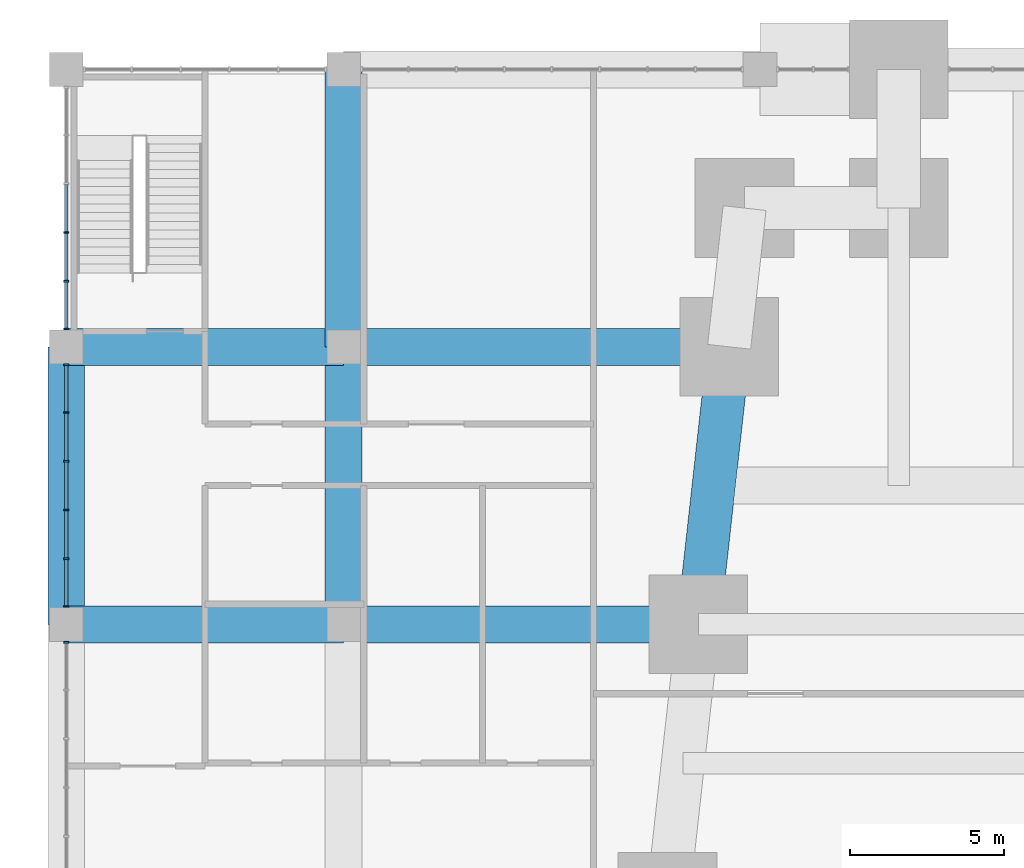
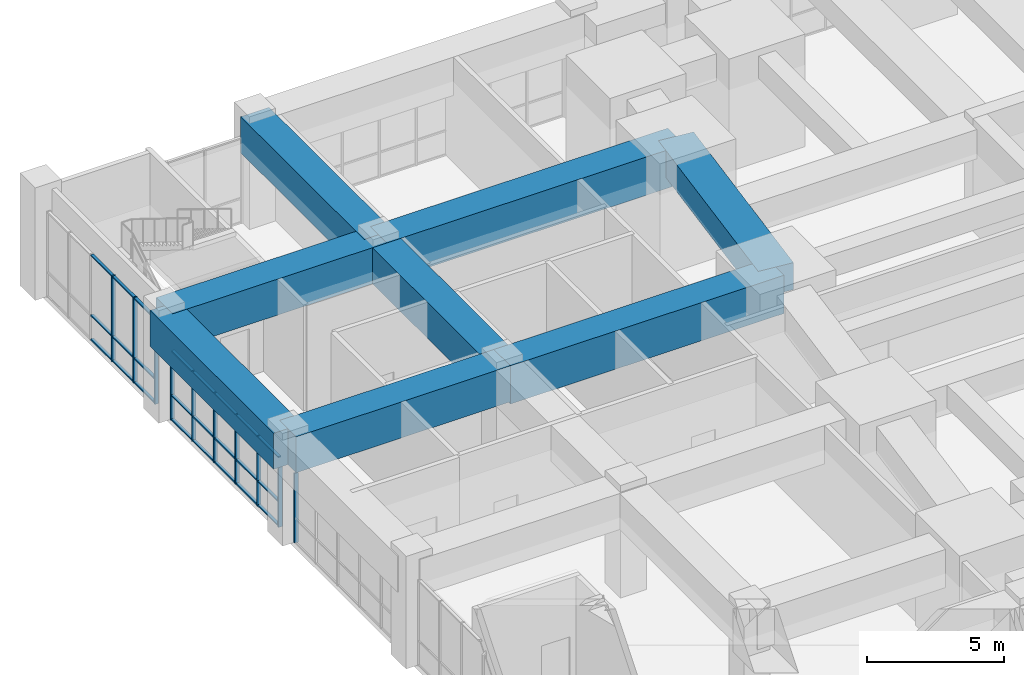
# One storey, part 8 of 27: 34 members, 8 beams, 3 elements without a shape of their own.
"""IFC4 building model written with IfcOpenShell, lengths in metres."""

from ifc_helpers import new_model, si_unit, direction, frame, origin, origin_2d, place, context, subcontext, project, spatial, rectangle, extrude, material, material_profile, profile_set, type_object, element, aggregate, save


model = new_model("IFC4")

# Units and contexts
model_context = context("Model", 3, precision=1e-05, world=origin(), true_north=direction((0.0, 1.0)))
body_context = subcontext(model_context, "Body", "Model", "MODEL_VIEW")
ifc_project = project(units=[si_unit("LENGTHUNIT", "METRE"), si_unit("AREAUNIT", "SQUARE_METRE"), si_unit("VOLUMEUNIT", "CUBIC_METRE"), si_unit("PLANEANGLEUNIT", "RADIAN"), si_unit("MASSUNIT", "GRAM", prefix="KILO")], contexts=[model_context])

# Site, building, storey
site_placement = place(None, origin())
site = spatial("IfcSite", under=ifc_project, at=site_placement, CompositionType="ELEMENT")
building_placement = place(site_placement, origin())
building = spatial("IfcBuilding", under=site, at=building_placement, Name="Kilele Tower Hotel", CompositionType="ELEMENT")
storey_placement = place(building_placement, frame((0.0, 0.0, 6.0)))
storey = spatial("IfcBuildingStorey", under=building, at=storey_placement, Name="L01", CompositionType="ELEMENT", Elevation=6.0)

# Beams
ifc_material_1 = material(Name="Concrete C60/75", Category="concrete")
ifc_material_profile_1 = material_profile(ifc_material_1, rectangle(XDim=1.199951171875, YDim=1.60009765625, at=origin_2d()))
ifc_profile_set_1 = profile_set([ifc_material_profile_1], Name="Concrete C60/75")
beam_type_1 = type_object("IfcBeamType", Name="Beam RC 1200x1600 C60/75", PredefinedType="BEAM", material=ifc_profile_set_1)
for number, where, z_axis, x_axis, name in (
    (1, (-18.0, 22.5, 3.89990234375), (1.0, 0.0, 0.0), (0.0, 1.0, 0.0), "Beam PB2 level L02"),
    (2, (-18.0, 22.5, 3.89990234375), (0.0, 1.0, 0.0), (-1.0, 0.0, 0.0), "Beam PB2 level L02"),
    (3, (-9.0, 22.5, 3.89990234375), (0.0, 1.0, 0.0), (-1.0, 0.0, 0.0), "Beam PB2 level L02"),
    (4, (-18.0, 31.5, 3.89990234375), (1.0, 0.0, 0.0), (0.0, 1.0, 0.0), "Beam PB2 level L02"),
    (5, (-9.0, 31.5, 3.89990234375), (0.0, 1.0, 0.0), (-1.0, 0.0, 0.0), "Beam PB2 level L02"),
):
    element("IfcBeam", number, at=place(storey_placement, frame(where, z_axis=z_axis, x_axis=x_axis)), inside=storey, type_object=beam_type_1, Name=name, PredefinedType="BEAM", context=body_context, shape_type="SweptSolid", body=[
        extrude(rectangle(XDim=1.199951171875, YDim=1.60009765625, at=origin_2d()), origin(), (0.0, 0.0, 1.0), 9.0),
    ])
ifc_material_2 = material(Name="Concrete C60/75", Category="concrete")
ifc_material_profile_2 = material_profile(ifc_material_2, rectangle(XDim=1.199951171875, YDim=1.699951171875, at=origin_2d()))
ifc_profile_set_2 = profile_set([ifc_material_profile_2], Name="Concrete C60/75")
beam_type_2 = type_object("IfcBeamType", Name="Beam RC 1200x1700 C60/75", PredefinedType="BEAM", material=ifc_profile_set_2)
beam_1_placement = place(storey_placement, frame((-9.0, 31.5, 3.85009765625), z_axis=(1.0, 0.0, 0.0), x_axis=(0.0, 1.0, 0.0)))
element("IfcBeam", 6, at=beam_1_placement, inside=storey, type_object=beam_type_2, Name="Beam PB3 level L02", PredefinedType="BEAM", context=body_context, shape_type="SweptSolid", body=[
    extrude(rectangle(XDim=1.199951171875, YDim=1.699951171875, at=origin_2d()), origin(), (0.0, 0.0, 1.0), 12.5),
])
ifc_material_3 = material(Name="Concrete C60/75", Category="concrete")
ifc_material_profile_3 = material_profile(ifc_material_3, rectangle(XDim=1.199951171875, YDim=1.699951171875, at=origin_2d()))
ifc_profile_set_3 = profile_set([ifc_material_profile_3], Name="Concrete C60/75")
beam_type_3 = type_object("IfcBeamType", Name="Beam RC 1200x1700 C60/75 mid span", PredefinedType="BEAM", material=ifc_profile_set_3)
beam_2_placement = place(storey_placement, frame((-9.0, 22.5, 3.85009765625), z_axis=(1.0, 0.0, 0.0), x_axis=(0.0, 1.0, 0.0)))
element("IfcBeam", 7, at=beam_2_placement, inside=storey, type_object=beam_type_3, Name="Beam PB4 level L02", PredefinedType="BEAM", context=body_context, shape_type="SweptSolid", body=[
    extrude(rectangle(XDim=1.199951171875, YDim=1.699951171875, at=origin_2d()), origin(), (0.0, 0.0, 1.0), 11.5),
])

# Curtain wall, members
ifc_material_4 = material(Name="Aluminium curtain wall, clear double glazing", Category="aluminium")
curtain_wall_type = type_object("IfcCurtainWallType", Name="Podium side curtain wall CW-2", PredefinedType="NOTDEFINED", material=ifc_material_4)
curtain_wall_1_placement = place(storey_placement, origin())
curtain_wall_1 = element("IfcCurtainWall", 8, at=curtain_wall_1_placement, inside=storey, type_object=curtain_wall_type, Name="Podium side curtain wall CW-2 L01", PredefinedType="NOTDEFINED")
ifc_material_5 = material(Name="Aluminium EN AW-6063 T6", Category="aluminium")
ifc_material_profile_4 = material_profile(ifc_material_5, rectangle(XDim=0.159912109375, YDim=0.06005859375, at=origin_2d()))
ifc_profile_set_4 = profile_set([ifc_material_profile_4], Name="Aluminium EN AW-6063 T6")
member_type_1 = type_object("IfcMemberType", Name="Mullion 60x160 CW-2", PredefinedType="MULLION", material=ifc_profile_set_4)
member_1_placement = place(storey_placement, frame((-18.0, 35.2099609375, 0.0), z_axis=(0.0, 0.0, 1.0), x_axis=(1.0, 0.0, 0.0)))
member_1 = element("IfcMember", 9, at=member_1_placement, type_object=member_type_1, Name="CW-2 mullion 4", PredefinedType="MULLION", context=body_context, shape_type="SweptSolid", body=[
    extrude(rectangle(XDim=0.159912109375, YDim=0.06005859375, at=origin_2d()), origin(), (0.0, 0.0, 1.0), 3.800048828125),
])
member_2_placement = place(storey_placement, frame((-18.0, 33.6298828125, 0.0), z_axis=(0.0, 0.0, 1.0), x_axis=(1.0, 0.0, 0.0)))
member_2 = element("IfcMember", 10, at=member_2_placement, type_object=member_type_1, Name="CW-2 mullion 5", PredefinedType="MULLION", context=body_context, shape_type="SweptSolid", body=[
    extrude(rectangle(XDim=0.159912109375, YDim=0.06005859375, at=origin_2d()), origin(), (0.0, 0.0, 1.0), 3.800048828125),
])
member_3_placement = place(storey_placement, frame((-18.0, 32.080078125, 0.0), z_axis=(0.0, 0.0, 1.0), x_axis=(1.0, 0.0, 0.0)))
member_3 = element("IfcMember", 11, at=member_3_placement, type_object=member_type_1, Name="CW-2 mullion 6", PredefinedType="MULLION", context=body_context, shape_type="SweptSolid", body=[
    extrude(rectangle(XDim=0.159912109375, YDim=0.06005859375, at=origin_2d()), origin(), (0.0, 0.0, 1.0), 3.800048828125),
])

curtain_wall_2_placement = place(storey_placement, origin())
curtain_wall_2 = element("IfcCurtainWall", 12, at=curtain_wall_2_placement, inside=storey, type_object=curtain_wall_type, Name="Podium side curtain wall CW-2 L01", PredefinedType="NOTDEFINED")
member_4_placement = place(storey_placement, frame((-18.0, 30.919921875, 0.0), z_axis=(0.0, 0.0, 1.0), x_axis=(1.0, 0.0, 0.0)))
member_4 = element("IfcMember", 13, at=member_4_placement, type_object=member_type_1, Name="CW-2 mullion 1", PredefinedType="MULLION", context=body_context, shape_type="SweptSolid", body=[
    extrude(rectangle(XDim=0.159912109375, YDim=0.06005859375, at=origin_2d()), origin(), (0.0, 0.0, 1.0), 3.10009765625),
])
member_5_placement = place(storey_placement, frame((-18.0, 29.3701171875, 0.0), z_axis=(0.0, 0.0, 1.0), x_axis=(1.0, 0.0, 0.0)))
member_5 = element("IfcMember", 14, at=member_5_placement, type_object=member_type_1, Name="CW-2 mullion 2", PredefinedType="MULLION", context=body_context, shape_type="SweptSolid", body=[
    extrude(rectangle(XDim=0.159912109375, YDim=0.06005859375, at=origin_2d()), origin(), (0.0, 0.0, 1.0), 3.10009765625),
])
member_6_placement = place(storey_placement, frame((-18.0, 27.7900390625, 0.0), z_axis=(0.0, 0.0, 1.0), x_axis=(1.0, 0.0, 0.0)))
member_6 = element("IfcMember", 15, at=member_6_placement, type_object=member_type_1, Name="CW-2 mullion 3", PredefinedType="MULLION", context=body_context, shape_type="SweptSolid", body=[
    extrude(rectangle(XDim=0.159912109375, YDim=0.06005859375, at=origin_2d()), origin(), (0.0, 0.0, 1.0), 3.10009765625),
])
member_7_placement = place(storey_placement, frame((-18.0, 26.2099609375, 0.0), z_axis=(0.0, 0.0, 1.0), x_axis=(1.0, 0.0, 0.0)))
member_7 = element("IfcMember", 16, at=member_7_placement, type_object=member_type_1, Name="CW-2 mullion 4", PredefinedType="MULLION", context=body_context, shape_type="SweptSolid", body=[
    extrude(rectangle(XDim=0.159912109375, YDim=0.06005859375, at=origin_2d()), origin(), (0.0, 0.0, 1.0), 3.10009765625),
])
member_8_placement = place(storey_placement, frame((-18.0, 24.6298828125, 0.0), z_axis=(0.0, 0.0, 1.0), x_axis=(1.0, 0.0, 0.0)))
member_8 = element("IfcMember", 17, at=member_8_placement, type_object=member_type_1, Name="CW-2 mullion 5", PredefinedType="MULLION", context=body_context, shape_type="SweptSolid", body=[
    extrude(rectangle(XDim=0.159912109375, YDim=0.06005859375, at=origin_2d()), origin(), (0.0, 0.0, 1.0), 3.10009765625),
])
member_9_placement = place(storey_placement, frame((-18.0, 23.080078125, 0.0), z_axis=(0.0, 0.0, 1.0), x_axis=(1.0, 0.0, 0.0)))
member_9 = element("IfcMember", 18, at=member_9_placement, type_object=member_type_1, Name="CW-2 mullion 6", PredefinedType="MULLION", context=body_context, shape_type="SweptSolid", body=[
    extrude(rectangle(XDim=0.159912109375, YDim=0.06005859375, at=origin_2d()), origin(), (0.0, 0.0, 1.0), 3.10009765625),
])

# Curtain wall, member
curtain_wall_3_placement = place(storey_placement, origin())
curtain_wall_3 = element("IfcCurtainWall", 19, at=curtain_wall_3_placement, inside=storey, type_object=curtain_wall_type, Name="Podium side curtain wall CW-2 L01", PredefinedType="NOTDEFINED")
member_10_placement = place(storey_placement, frame((-18.0, 21.919921875, 0.0), z_axis=(0.0, 0.0, 1.0), x_axis=(1.0, 0.0, 0.0)))
member_10 = element("IfcMember", 20, at=member_10_placement, type_object=member_type_1, Name="CW-2 mullion 1", PredefinedType="MULLION", context=body_context, shape_type="SweptSolid", body=[
    extrude(rectangle(XDim=0.159912109375, YDim=0.06005859375, at=origin_2d()), origin(), (0.0, 0.0, 1.0), 3.10009765625),
])
aggregate(curtain_wall_3, [member_10])

# Beam
ifc_material_6 = material(Name="Concrete C60/75", Category="concrete")
ifc_material_profile_5 = material_profile(ifc_material_6, rectangle(XDim=1.39990234375, YDim=1.199951171875, at=origin_2d()))
ifc_profile_set_5 = profile_set([ifc_material_profile_5], Name="Concrete C60/75")
beam_type_4 = type_object("IfcBeamType", Name="Spandrel RC 1400x1200 C60/75", PredefinedType="SPANDREL", material=ifc_profile_set_5)
beam_3_placement = place(storey_placement, frame((3.5, 31.5, 4.10009765625), z_axis=(-0.110431526075, -0.993883734674, 0.0), x_axis=(0.993883734674, -0.110431526075, 0.0)))
element("IfcBeam", 21, at=beam_3_placement, inside=storey, type_object=beam_type_4, Name="Spandrel SP10 level L02", PredefinedType="SPANDREL", context=body_context, shape_type="SweptSolid", body=[
    extrude(rectangle(XDim=1.39990234375, YDim=1.199951171875, at=origin_2d()), origin(), (0.0, 0.0, 1.0), 9.055419921875),
])

# Member
ifc_material_7 = material(Name="Aluminium EN AW-6063 T6", Category="aluminium")
ifc_material_profile_6 = material_profile(ifc_material_7, rectangle(XDim=0.1201171875, YDim=0.06005859375, at=origin_2d()))
ifc_profile_set_6 = profile_set([ifc_material_profile_6], Name="Aluminium EN AW-6063 T6")
member_type_2 = type_object("IfcMemberType", Name="Transom 60x120 CW-2", PredefinedType="USERDEFINED", material=ifc_profile_set_6)
member_11_placement = place(storey_placement, frame((-18.0, 36.760009765625, 0.030029296875), z_axis=(0.0, -1.0, 0.0), x_axis=(1.0, 0.0, 0.0)))
member_11 = element("IfcMember", 22, at=member_11_placement, type_object=member_type_2, Name="CW-2 transom 3.1", ObjectType="TRANSOM", PredefinedType="USERDEFINED", context=body_context, shape_type="SweptSolid", body=[
    extrude(rectangle(XDim=0.1201171875, YDim=0.06005859375, at=origin_2d()), origin(), (0.0, 0.0, 1.0), 1.52001953125),
])

member_12_placement = place(storey_placement, frame((-18.0, 36.760009765625, 1.10009765625), z_axis=(0.0, -1.0, 0.0), x_axis=(1.0, 0.0, 0.0)))
member_12 = element("IfcMember", 23, at=member_12_placement, type_object=member_type_2, Name="CW-2 transom 3.2", ObjectType="TRANSOM", PredefinedType="USERDEFINED", context=body_context, shape_type="SweptSolid", body=[
    extrude(rectangle(XDim=0.1201171875, YDim=0.06005859375, at=origin_2d()), origin(), (0.0, 0.0, 1.0), 1.52001953125),
])

member_13_placement = place(storey_placement, frame((-18.0, 36.760009765625, 3.77001953125), z_axis=(0.0, -1.0, 0.0), x_axis=(1.0, 0.0, 0.0)))
member_13 = element("IfcMember", 24, at=member_13_placement, type_object=member_type_2, Name="CW-2 transom 3.3", ObjectType="TRANSOM", PredefinedType="USERDEFINED", context=body_context, shape_type="SweptSolid", body=[
    extrude(rectangle(XDim=0.1201171875, YDim=0.06005859375, at=origin_2d()), origin(), (0.0, 0.0, 1.0), 1.52001953125),
])

member_14_placement = place(storey_placement, frame((-18.0, 35.179931640625, 0.030029296875), z_axis=(0.0, -1.0, 0.0), x_axis=(1.0, 0.0, 0.0)))
member_14 = element("IfcMember", 25, at=member_14_placement, type_object=member_type_2, Name="CW-2 transom 4.1", ObjectType="TRANSOM", PredefinedType="USERDEFINED", context=body_context, shape_type="SweptSolid", body=[
    extrude(rectangle(XDim=0.1201171875, YDim=0.06005859375, at=origin_2d()), origin(), (0.0, 0.0, 1.0), 1.52001953125),
])

member_15_placement = place(storey_placement, frame((-18.0, 35.179931640625, 1.10009765625), z_axis=(0.0, -1.0, 0.0), x_axis=(1.0, 0.0, 0.0)))
member_15 = element("IfcMember", 26, at=member_15_placement, type_object=member_type_2, Name="CW-2 transom 4.2", ObjectType="TRANSOM", PredefinedType="USERDEFINED", context=body_context, shape_type="SweptSolid", body=[
    extrude(rectangle(XDim=0.1201171875, YDim=0.06005859375, at=origin_2d()), origin(), (0.0, 0.0, 1.0), 1.52001953125),
])

member_16_placement = place(storey_placement, frame((-18.0, 35.179931640625, 3.77001953125), z_axis=(0.0, -1.0, 0.0), x_axis=(1.0, 0.0, 0.0)))
member_16 = element("IfcMember", 27, at=member_16_placement, type_object=member_type_2, Name="CW-2 transom 4.3", ObjectType="TRANSOM", PredefinedType="USERDEFINED", context=body_context, shape_type="SweptSolid", body=[
    extrude(rectangle(XDim=0.1201171875, YDim=0.06005859375, at=origin_2d()), origin(), (0.0, 0.0, 1.0), 1.52001953125),
])

member_17_placement = place(storey_placement, frame((-18.0, 33.60009765625, 0.030029296875), z_axis=(0.0, -1.0, 0.0), x_axis=(1.0, 0.0, 0.0)))
member_17 = element("IfcMember", 28, at=member_17_placement, type_object=member_type_2, Name="CW-2 transom 5.1", ObjectType="TRANSOM", PredefinedType="USERDEFINED", context=body_context, shape_type="SweptSolid", body=[
    extrude(rectangle(XDim=0.1201171875, YDim=0.06005859375, at=origin_2d()), origin(), (0.0, 0.0, 1.0), 1.489990234375),
])

member_18_placement = place(storey_placement, frame((-18.0, 33.60009765625, 1.10009765625), z_axis=(0.0, -1.0, 0.0), x_axis=(1.0, 0.0, 0.0)))
member_18 = element("IfcMember", 29, at=member_18_placement, type_object=member_type_2, Name="CW-2 transom 5.2", ObjectType="TRANSOM", PredefinedType="USERDEFINED", context=body_context, shape_type="SweptSolid", body=[
    extrude(rectangle(XDim=0.1201171875, YDim=0.06005859375, at=origin_2d()), origin(), (0.0, 0.0, 1.0), 1.489990234375),
])

member_19_placement = place(storey_placement, frame((-18.0, 33.60009765625, 3.77001953125), z_axis=(0.0, -1.0, 0.0), x_axis=(1.0, 0.0, 0.0)))
member_19 = element("IfcMember", 30, at=member_19_placement, type_object=member_type_2, Name="CW-2 transom 5.3", ObjectType="TRANSOM", PredefinedType="USERDEFINED", context=body_context, shape_type="SweptSolid", body=[
    extrude(rectangle(XDim=0.1201171875, YDim=0.06005859375, at=origin_2d()), origin(), (0.0, 0.0, 1.0), 1.489990234375),
])

aggregate(curtain_wall_1, [member_1, member_2, member_3, member_11, member_12, member_13, member_14, member_15, member_16, member_17, member_18, member_19])

member_20_placement = place(storey_placement, frame((-18.0, 30.889892578125, 0.030029296875), z_axis=(0.0, -1.0, 0.0), x_axis=(1.0, 0.0, 0.0)))
member_20 = element("IfcMember", 31, at=member_20_placement, type_object=member_type_2, Name="CW-2 transom 1.1", ObjectType="TRANSOM", PredefinedType="USERDEFINED", context=body_context, shape_type="SweptSolid", body=[
    extrude(rectangle(XDim=0.1201171875, YDim=0.06005859375, at=origin_2d()), origin(), (0.0, 0.0, 1.0), 1.489990234375),
])

member_21_placement = place(storey_placement, frame((-18.0, 30.889892578125, 1.10009765625), z_axis=(0.0, -1.0, 0.0), x_axis=(1.0, 0.0, 0.0)))
member_21 = element("IfcMember", 32, at=member_21_placement, type_object=member_type_2, Name="CW-2 transom 1.2", ObjectType="TRANSOM", PredefinedType="USERDEFINED", context=body_context, shape_type="SweptSolid", body=[
    extrude(rectangle(XDim=0.1201171875, YDim=0.06005859375, at=origin_2d()), origin(), (0.0, 0.0, 1.0), 1.489990234375),
])

member_22_placement = place(storey_placement, frame((-18.0, 30.889892578125, 3.070068359375), z_axis=(0.0, -1.0, 0.0), x_axis=(1.0, 0.0, 0.0)))
member_22 = element("IfcMember", 33, at=member_22_placement, type_object=member_type_2, Name="CW-2 transom 1.3", ObjectType="TRANSOM", PredefinedType="USERDEFINED", context=body_context, shape_type="SweptSolid", body=[
    extrude(rectangle(XDim=0.1201171875, YDim=0.06005859375, at=origin_2d()), origin(), (0.0, 0.0, 1.0), 1.489990234375),
])

member_23_placement = place(storey_placement, frame((-18.0, 29.340087890625, 0.030029296875), z_axis=(0.0, -1.0, 0.0), x_axis=(1.0, 0.0, 0.0)))
member_23 = element("IfcMember", 34, at=member_23_placement, type_object=member_type_2, Name="CW-2 transom 2.1", ObjectType="TRANSOM", PredefinedType="USERDEFINED", context=body_context, shape_type="SweptSolid", body=[
    extrude(rectangle(XDim=0.1201171875, YDim=0.06005859375, at=origin_2d()), origin(), (0.0, 0.0, 1.0), 1.52001953125),
])

member_24_placement = place(storey_placement, frame((-18.0, 29.340087890625, 1.10009765625), z_axis=(0.0, -1.0, 0.0), x_axis=(1.0, 0.0, 0.0)))
member_24 = element("IfcMember", 35, at=member_24_placement, type_object=member_type_2, Name="CW-2 transom 2.2", ObjectType="TRANSOM", PredefinedType="USERDEFINED", context=body_context, shape_type="SweptSolid", body=[
    extrude(rectangle(XDim=0.1201171875, YDim=0.06005859375, at=origin_2d()), origin(), (0.0, 0.0, 1.0), 1.52001953125),
])

member_25_placement = place(storey_placement, frame((-18.0, 29.340087890625, 3.070068359375), z_axis=(0.0, -1.0, 0.0), x_axis=(1.0, 0.0, 0.0)))
member_25 = element("IfcMember", 36, at=member_25_placement, type_object=member_type_2, Name="CW-2 transom 2.3", ObjectType="TRANSOM", PredefinedType="USERDEFINED", context=body_context, shape_type="SweptSolid", body=[
    extrude(rectangle(XDim=0.1201171875, YDim=0.06005859375, at=origin_2d()), origin(), (0.0, 0.0, 1.0), 1.52001953125),
])

member_26_placement = place(storey_placement, frame((-18.0, 27.760009765625, 0.030029296875), z_axis=(0.0, -1.0, 0.0), x_axis=(1.0, 0.0, 0.0)))
member_26 = element("IfcMember", 37, at=member_26_placement, type_object=member_type_2, Name="CW-2 transom 3.1", ObjectType="TRANSOM", PredefinedType="USERDEFINED", context=body_context, shape_type="SweptSolid", body=[
    extrude(rectangle(XDim=0.1201171875, YDim=0.06005859375, at=origin_2d()), origin(), (0.0, 0.0, 1.0), 1.52001953125),
])

member_27_placement = place(storey_placement, frame((-18.0, 27.760009765625, 1.10009765625), z_axis=(0.0, -1.0, 0.0), x_axis=(1.0, 0.0, 0.0)))
member_27 = element("IfcMember", 38, at=member_27_placement, type_object=member_type_2, Name="CW-2 transom 3.2", ObjectType="TRANSOM", PredefinedType="USERDEFINED", context=body_context, shape_type="SweptSolid", body=[
    extrude(rectangle(XDim=0.1201171875, YDim=0.06005859375, at=origin_2d()), origin(), (0.0, 0.0, 1.0), 1.52001953125),
])

member_28_placement = place(storey_placement, frame((-18.0, 27.760009765625, 3.070068359375), z_axis=(0.0, -1.0, 0.0), x_axis=(1.0, 0.0, 0.0)))
member_28 = element("IfcMember", 39, at=member_28_placement, type_object=member_type_2, Name="CW-2 transom 3.3", ObjectType="TRANSOM", PredefinedType="USERDEFINED", context=body_context, shape_type="SweptSolid", body=[
    extrude(rectangle(XDim=0.1201171875, YDim=0.06005859375, at=origin_2d()), origin(), (0.0, 0.0, 1.0), 1.52001953125),
])

member_29_placement = place(storey_placement, frame((-18.0, 26.179931640625, 0.030029296875), z_axis=(0.0, -1.0, 0.0), x_axis=(1.0, 0.0, 0.0)))
member_29 = element("IfcMember", 40, at=member_29_placement, type_object=member_type_2, Name="CW-2 transom 4.1", ObjectType="TRANSOM", PredefinedType="USERDEFINED", context=body_context, shape_type="SweptSolid", body=[
    extrude(rectangle(XDim=0.1201171875, YDim=0.06005859375, at=origin_2d()), origin(), (0.0, 0.0, 1.0), 1.52001953125),
])

member_30_placement = place(storey_placement, frame((-18.0, 26.179931640625, 1.10009765625), z_axis=(0.0, -1.0, 0.0), x_axis=(1.0, 0.0, 0.0)))
member_30 = element("IfcMember", 41, at=member_30_placement, type_object=member_type_2, Name="CW-2 transom 4.2", ObjectType="TRANSOM", PredefinedType="USERDEFINED", context=body_context, shape_type="SweptSolid", body=[
    extrude(rectangle(XDim=0.1201171875, YDim=0.06005859375, at=origin_2d()), origin(), (0.0, 0.0, 1.0), 1.52001953125),
])

member_31_placement = place(storey_placement, frame((-18.0, 26.179931640625, 3.070068359375), z_axis=(0.0, -1.0, 0.0), x_axis=(1.0, 0.0, 0.0)))
member_31 = element("IfcMember", 42, at=member_31_placement, type_object=member_type_2, Name="CW-2 transom 4.3", ObjectType="TRANSOM", PredefinedType="USERDEFINED", context=body_context, shape_type="SweptSolid", body=[
    extrude(rectangle(XDim=0.1201171875, YDim=0.06005859375, at=origin_2d()), origin(), (0.0, 0.0, 1.0), 1.52001953125),
])

member_32_placement = place(storey_placement, frame((-18.0, 24.60009765625, 0.030029296875), z_axis=(0.0, -1.0, 0.0), x_axis=(1.0, 0.0, 0.0)))
member_32 = element("IfcMember", 43, at=member_32_placement, type_object=member_type_2, Name="CW-2 transom 5.1", ObjectType="TRANSOM", PredefinedType="USERDEFINED", context=body_context, shape_type="SweptSolid", body=[
    extrude(rectangle(XDim=0.1201171875, YDim=0.06005859375, at=origin_2d()), origin(), (0.0, 0.0, 1.0), 1.489990234375),
])

member_33_placement = place(storey_placement, frame((-18.0, 24.60009765625, 1.10009765625), z_axis=(0.0, -1.0, 0.0), x_axis=(1.0, 0.0, 0.0)))
member_33 = element("IfcMember", 44, at=member_33_placement, type_object=member_type_2, Name="CW-2 transom 5.2", ObjectType="TRANSOM", PredefinedType="USERDEFINED", context=body_context, shape_type="SweptSolid", body=[
    extrude(rectangle(XDim=0.1201171875, YDim=0.06005859375, at=origin_2d()), origin(), (0.0, 0.0, 1.0), 1.489990234375),
])

member_34_placement = place(storey_placement, frame((-18.0, 24.60009765625, 3.070068359375), z_axis=(0.0, -1.0, 0.0), x_axis=(1.0, 0.0, 0.0)))
member_34 = element("IfcMember", 45, at=member_34_placement, type_object=member_type_2, Name="CW-2 transom 5.3", ObjectType="TRANSOM", PredefinedType="USERDEFINED", context=body_context, shape_type="SweptSolid", body=[
    extrude(rectangle(XDim=0.1201171875, YDim=0.06005859375, at=origin_2d()), origin(), (0.0, 0.0, 1.0), 1.489990234375),
])

aggregate(curtain_wall_2, [member_4, member_5, member_6, member_7, member_8, member_9, member_20, member_21, member_22, member_23, member_24, member_25, member_26, member_27, member_28, member_29, member_30, member_31, member_32, member_33, member_34])

save(model, "model.ifc")
